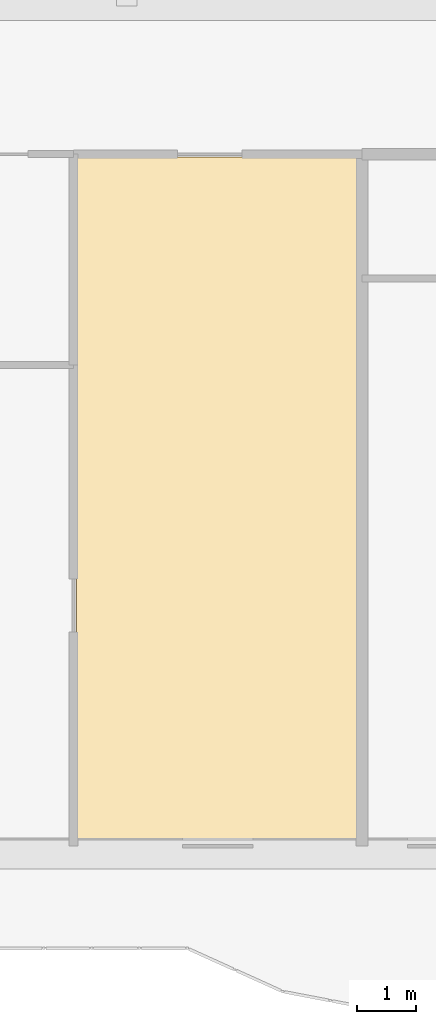
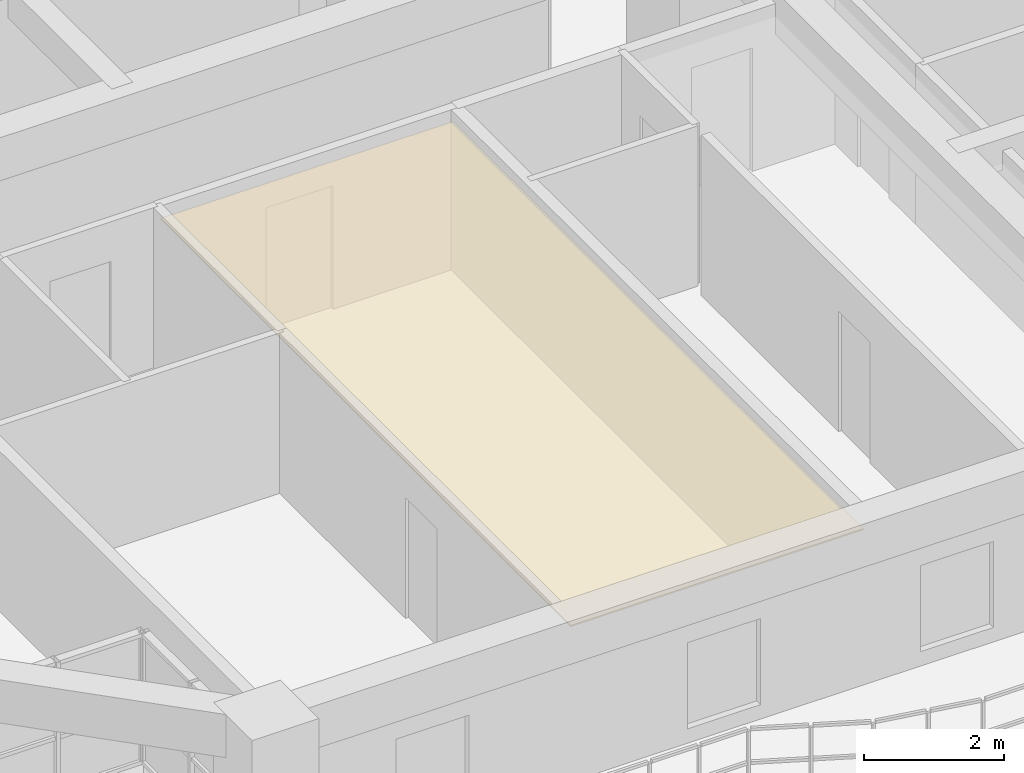
# One storey, part 22 of 27: 1 covering.
"""IFC4 building model written with IfcOpenShell, lengths in metres."""

from ifc_helpers import new_model, si_unit, direction, frame, origin, place, context, subcontext, project, spatial, polyline, outline, extrude, material, layer, layer_set, type_object, element, save


model = new_model("IFC4")

# Units and contexts
model_context = context("Model", 3, precision=1e-05, world=origin(), true_north=direction((0.0, 1.0)))
body_context = subcontext(model_context, "Body", "Model", "MODEL_VIEW")
ifc_project = project(units=[si_unit("LENGTHUNIT", "METRE"), si_unit("AREAUNIT", "SQUARE_METRE"), si_unit("VOLUMEUNIT", "CUBIC_METRE"), si_unit("PLANEANGLEUNIT", "RADIAN"), si_unit("MASSUNIT", "GRAM", prefix="KILO")], contexts=[model_context])

# Site, building, storey
site_placement = place(None, origin())
site = spatial("IfcSite", under=ifc_project, at=site_placement, CompositionType="ELEMENT")
building_placement = place(site_placement, origin())
building = spatial("IfcBuilding", under=site, at=building_placement, Name="Saelheon Loggia Tower", CompositionType="ELEMENT")
storey_placement = place(building_placement, frame((0.0, 0.0, 52.39990234375)))
storey = spatial("IfcBuildingStorey", under=building, at=storey_placement, Name="L16", CompositionType="ELEMENT", Elevation=52.39990234375)

# Covering
ifc_material = material(Name="Mineral-Fibre Acoustic Ceiling Board", Category="gypsum")
ifc_layer = layer(ifc_material, 0.02490234375)
ifc_layer_set = layer_set([ifc_layer], Name="Mineral-Fibre Acoustic Ceiling Board")
covering_type = type_object("IfcCoveringType", Name="Cov_Ceiling_Acoustic", PredefinedType="CEILING", material=ifc_layer_set)
covering_placement = place(storey_placement, frame((0.0, 0.0, 2.53515625)))
element("IfcCovering", 1, at=covering_placement, inside=storey, type_object=covering_type, Name="L16 Acoustic Suspended Ceiling", PredefinedType="CEILING", context=body_context, shape_type="SweptSolid", body=[
    extrude(outline(polyline([(20.6298828125, 3.199951171875), (25.45068359375, 3.199951171875), (25.45068359375, 14.89990234375), (20.6298828125, 14.89990234375), (20.6298828125, 3.199951171875)])), origin(), (0.0, 0.0, 1.0), 0.02490234375),
])

save(model, "model.ifc")
